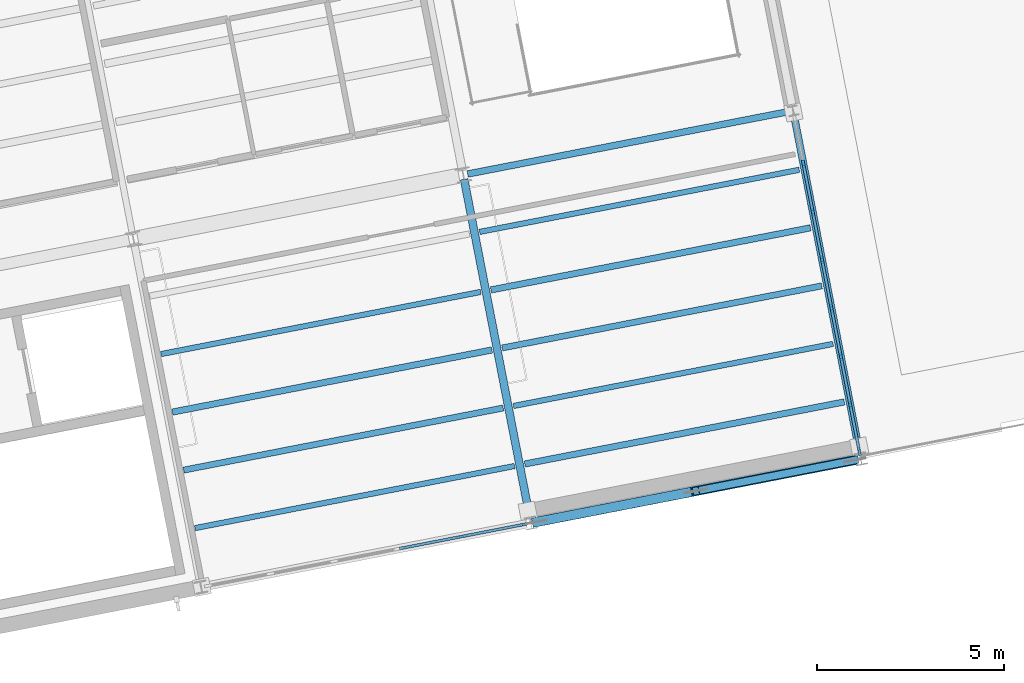
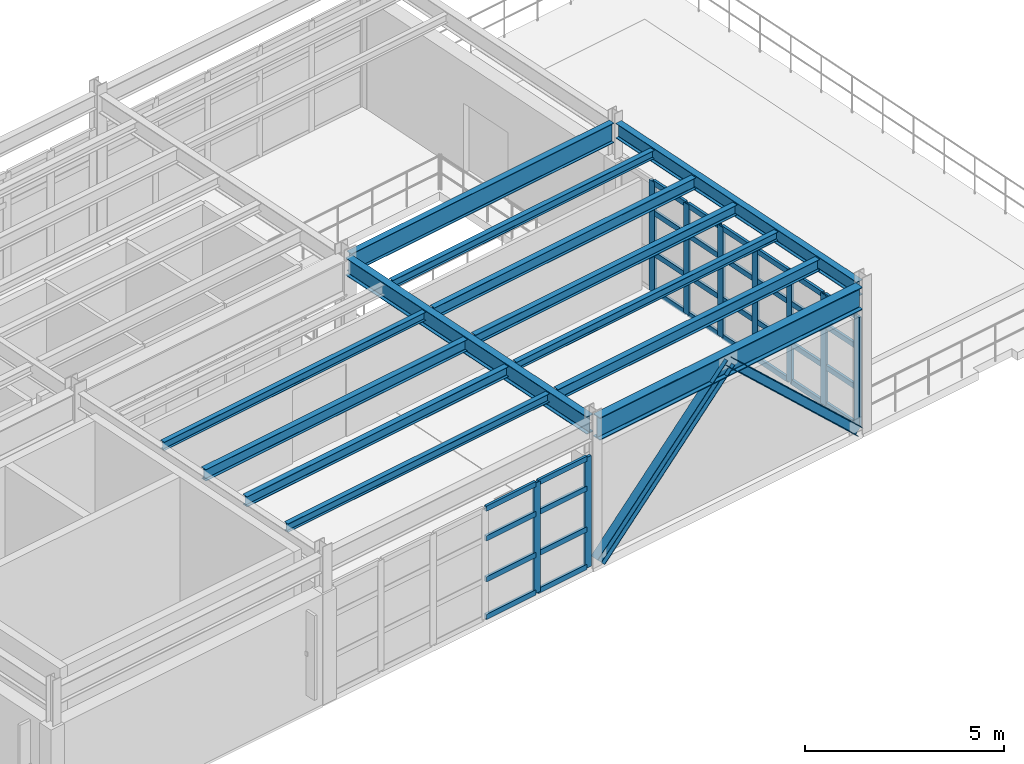
# One storey, part 19 of 102: 43 members, 13 beams, 2 elements without a shape of their own.
"""IFC4 building model written with IfcOpenShell, lengths in metres."""

from ifc_helpers import new_model, si_unit, direction, frame, origin, origin_2d, place, context, subcontext, project, spatial, rectangle, i_section, extrude, material, layer, layer_set, material_profile, profile_set, type_object, element, aggregate, save


model = new_model("IFC4")

# Units and contexts
model_context = context("Model", 3, precision=1e-05, world=origin(), true_north=direction((0.0, 1.0)))
body_context = subcontext(model_context, "Body", "Model", "MODEL_VIEW")
ifc_project = project(units=[si_unit("LENGTHUNIT", "METRE"), si_unit("AREAUNIT", "SQUARE_METRE"), si_unit("VOLUMEUNIT", "CUBIC_METRE"), si_unit("PLANEANGLEUNIT", "RADIAN"), si_unit("MASSUNIT", "GRAM", prefix="KILO")], contexts=[model_context])

# Site, building, storey
site_placement = place(None, origin())
site = spatial("IfcSite", under=ifc_project, at=site_placement, CompositionType="ELEMENT")
building_placement = place(site_placement, origin())
building = spatial("IfcBuilding", under=site, at=building_placement, Name="Vireo Bluff Cable Station", CompositionType="ELEMENT")
storey_placement = place(building_placement, frame((0.0, 0.0, 9.60009765625)))
storey = spatial("IfcBuildingStorey", under=building, at=storey_placement, Name="L02", CompositionType="ELEMENT", Elevation=9.60009765625)

# Beam
ifc_material_1 = material(Name="Steel ASTM A992 Gr. 50", Category="steel")
ifc_material_profile_1 = material_profile(ifc_material_1, i_section(OverallWidth=0.2099609375, OverallDepth=0.535888671875, WebThickness=0.010986328125, FlangeThickness=0.017333984375, FilletRadius=0.012939453125, at=origin_2d()), Name="W21X68")
ifc_profile_set_1 = profile_set([ifc_material_profile_1], Name="Steel ASTM A992 Gr. 50")
beam_type_1 = type_object("IfcBeamType", Name="BM-W21X68", PredefinedType="BEAM", material=ifc_profile_set_1)
beam_1_placement = place(storey_placement, frame((27.146484375, 9.05224609375, 4.23193359375), z_axis=(-0.190825202135, 0.981624033034, 0.0), x_axis=(-0.981624033034, -0.190825202135, 0.0)))
element("IfcBeam", 1, at=beam_1_placement, inside=storey, type_object=beam_type_1, Name="V5 L02 beam 1262", PredefinedType="BEAM", context=body_context, shape_type="SweptSolid", body=[
    extrude(i_section(OverallWidth=0.2099609375, OverallDepth=0.535888671875, WebThickness=0.010986328125, FlangeThickness=0.017333984375, FilletRadius=0.012939453125, at=origin_2d()), origin(), (0.0, 0.0, 1.0), 9.26025390625),
])

# Members
ifc_material_profile_2 = material_profile(ifc_material_1, i_section(OverallWidth=0.2041015625, OverallDepth=0.257080078125, WebThickness=0.0087890625, FlangeThickness=0.015625, FilletRadius=0.009033203125, at=origin_2d()), Name="W10X45")
ifc_profile_set_2 = profile_set([ifc_material_profile_2], Name="Steel ASTM A992 Gr. 50")
member_type_1 = type_object("IfcMemberType", Name="BRC-01", PredefinedType="BRACE", material=ifc_profile_set_2)
member_1_placement = place(storey_placement, frame((35.846923828125, 10.621337890625, 0.039794921875), z_axis=(-0.710276289575, -0.13806631371, 0.690250161525), x_axis=(0.190812443151, -0.981626513262, 0.0)))
element("IfcMember", 2, at=member_1_placement, inside=storey, type_object=member_type_1, Name="V5 L02 concentric brace 102R", PredefinedType="BRACE", context=body_context, shape_type="SweptSolid", body=[
    extrude(i_section(OverallWidth=0.2041015625, OverallDepth=0.257080078125, WebThickness=0.0087890625, FlangeThickness=0.015625, FilletRadius=0.009033203125, at=origin_2d()), origin(), (0.0, 0.0, 1.0), 5.998046875),
])
ifc_material_profile_3 = material_profile(ifc_material_1, i_section(OverallWidth=0.25390625, OverallDepth=0.35302734375, WebThickness=0.009521484375, FlangeThickness=0.016357421875, FilletRadius=0.011962890625, at=origin_2d()), Name="W14X61")
ifc_profile_set_3 = profile_set([ifc_material_profile_3], Name="Steel ASTM A992 Gr. 50")
member_type_2 = type_object("IfcMemberType", Name="BRC-06", PredefinedType="BRACE", material=ifc_profile_set_3)
member_2_placement = place(storey_placement, frame((27.326416015625, 8.965087890625, 0.039794921875), z_axis=(0.710276289575, 0.13806631371, 0.690250161525), x_axis=(-0.190812443151, 0.981626513262, 0.0)))
element("IfcMember", 3, at=member_2_placement, inside=storey, type_object=member_type_2, Name="V5 L02 concentric brace 101L", PredefinedType="BRACE", context=body_context, shape_type="SweptSolid", body=[
    extrude(i_section(OverallWidth=0.25390625, OverallDepth=0.35302734375, WebThickness=0.009521484375, FlangeThickness=0.016357421875, FilletRadius=0.011962890625, at=origin_2d()), origin(), (0.0, 0.0, 1.0), 5.998046875),
])

# Curtain wall, members
ifc_material_2 = material(Name="Anodized Aluminium 6063-T6", Category="aluminium")
ifc_layer_1 = layer(ifc_material_2, 0.179931640625, Name="Anodized Aluminium 6063-T6")
ifc_layer_set_1 = layer_set([ifc_layer_1], Name="Anodized Aluminium 6063-T6")
curtain_wall_type_1 = type_object("IfcCurtainWallType", Name="CW-UNIT-1650", PredefinedType="USERDEFINED", material=ifc_layer_set_1)
curtain_wall_1_placement = place(storey_placement, origin())
curtain_wall_1 = element("IfcCurtainWall", 4, at=curtain_wall_1_placement, inside=storey, type_object=curtain_wall_type_1, Name="V5 L02 south curtain wall CW-125", ObjectType="UNITISED CURTAIN WALL", PredefinedType="USERDEFINED")
ifc_material_profile_4 = material_profile(ifc_material_2, rectangle(XDim=0.074951171875, YDim=0.2099609375, at=origin_2d()), Name="ALU-M-75X210")
ifc_profile_set_4 = profile_set([ifc_material_profile_4], Name="Anodized Aluminium 6063-T6")
member_type_3 = type_object("IfcMemberType", Name="CWM-02", PredefinedType="MULLION", material=ifc_profile_set_4)
member_3_placement = place(storey_placement, frame((26.976806640625, 8.897216796875, 0.0), z_axis=(0.0, 0.0, 1.0), x_axis=(0.190808983435, -0.981627185769, 0.0)))
member_3 = element("IfcMember", 5, at=member_3_placement, type_object=member_type_3, Name="CW-125 mullion 1", PredefinedType="MULLION", context=body_context, shape_type="SweptSolid", body=[
    extrude(rectangle(XDim=0.074951171875, YDim=0.2099609375, at=origin_2d()), origin(), (0.0, 0.0, 1.0), 3.39990234375),
])
member_4_placement = place(storey_placement, frame((25.30859375, 8.572998046875, 0.0), z_axis=(0.0, 0.0, 1.0), x_axis=(0.190808983435, -0.981627185769, 0.0)))
member_4 = element("IfcMember", 6, at=member_4_placement, type_object=member_type_3, Name="CW-125 mullion 2", PredefinedType="MULLION", context=body_context, shape_type="SweptSolid", body=[
    extrude(rectangle(XDim=0.074951171875, YDim=0.2099609375, at=origin_2d()), origin(), (0.0, 0.0, 1.0), 3.39990234375),
])

ifc_layer_2 = layer(ifc_material_2, 0.179931640625, Name="Anodized Aluminium 6063-T6")
ifc_layer_set_2 = layer_set([ifc_layer_2], Name="Anodized Aluminium 6063-T6")
curtain_wall_type_2 = type_object("IfcCurtainWallType", Name="CW-UNIT-1400", PredefinedType="USERDEFINED", material=ifc_layer_set_2)
curtain_wall_2_placement = place(storey_placement, origin())
curtain_wall_2 = element("IfcCurtainWall", 7, at=curtain_wall_2_placement, inside=storey, type_object=curtain_wall_type_2, Name="V5 L02 east curtain wall CW-129", ObjectType="UNITISED CURTAIN WALL", PredefinedType="USERDEFINED")
member_5_placement = place(storey_placement, frame((34.4677734375, 18.55517578125, 0.0), z_axis=(0.0, 0.0, 1.0), x_axis=(0.981627178352, 0.190809021589, 0.0)))
member_5 = element("IfcMember", 8, at=member_5_placement, type_object=member_type_3, Name="CW-129 mullion 2", PredefinedType="MULLION", context=body_context, shape_type="SweptSolid", body=[
    extrude(rectangle(XDim=0.074951171875, YDim=0.2099609375, at=origin_2d()), origin(), (0.0, 0.0, 1.0), 3.39990234375),
])
member_6_placement = place(storey_placement, frame((34.718505859375, 17.264892578125, 0.0), z_axis=(0.0, 0.0, 1.0), x_axis=(0.981627178352, 0.190809021589, 0.0)))
member_6 = element("IfcMember", 9, at=member_6_placement, type_object=member_type_3, Name="CW-129 mullion 3", PredefinedType="MULLION", context=body_context, shape_type="SweptSolid", body=[
    extrude(rectangle(XDim=0.074951171875, YDim=0.2099609375, at=origin_2d()), origin(), (0.0, 0.0, 1.0), 3.39990234375),
])
member_7_placement = place(storey_placement, frame((34.96923828125, 15.974365234375, 0.0), z_axis=(0.0, 0.0, 1.0), x_axis=(0.981627178352, 0.190809021589, 0.0)))
member_7 = element("IfcMember", 10, at=member_7_placement, type_object=member_type_3, Name="CW-129 mullion 4", PredefinedType="MULLION", context=body_context, shape_type="SweptSolid", body=[
    extrude(rectangle(XDim=0.074951171875, YDim=0.2099609375, at=origin_2d()), origin(), (0.0, 0.0, 1.0), 3.39990234375),
])
member_8_placement = place(storey_placement, frame((35.22021484375, 14.683837890625, 0.0), z_axis=(0.0, 0.0, 1.0), x_axis=(0.981627178352, 0.190809021589, 0.0)))
member_8 = element("IfcMember", 11, at=member_8_placement, type_object=member_type_3, Name="CW-129 mullion 5", PredefinedType="MULLION", context=body_context, shape_type="SweptSolid", body=[
    extrude(rectangle(XDim=0.074951171875, YDim=0.2099609375, at=origin_2d()), origin(), (0.0, 0.0, 1.0), 3.39990234375),
])
member_9_placement = place(storey_placement, frame((35.470947265625, 13.393310546875, 0.0), z_axis=(0.0, 0.0, 1.0), x_axis=(0.981627178352, 0.190809021589, 0.0)))
member_9 = element("IfcMember", 12, at=member_9_placement, type_object=member_type_3, Name="CW-129 mullion 6", PredefinedType="MULLION", context=body_context, shape_type="SweptSolid", body=[
    extrude(rectangle(XDim=0.074951171875, YDim=0.2099609375, at=origin_2d()), origin(), (0.0, 0.0, 1.0), 3.39990234375),
])
member_10_placement = place(storey_placement, frame((35.721923828125, 12.102783203125, 0.0), z_axis=(0.0, 0.0, 1.0), x_axis=(0.981627178352, 0.190809021589, 0.0)))
member_10 = element("IfcMember", 13, at=member_10_placement, type_object=member_type_3, Name="CW-129 mullion 7", PredefinedType="MULLION", context=body_context, shape_type="SweptSolid", body=[
    extrude(rectangle(XDim=0.074951171875, YDim=0.2099609375, at=origin_2d()), origin(), (0.0, 0.0, 1.0), 3.39990234375),
])
member_11_placement = place(storey_placement, frame((35.965576171875, 10.84912109375, 0.0), z_axis=(0.0, 0.0, 1.0), x_axis=(0.981627178352, 0.190809021589, 0.0)))
member_11 = element("IfcMember", 14, at=member_11_placement, type_object=member_type_3, Name="CW-129 mullion 8", PredefinedType="MULLION", context=body_context, shape_type="SweptSolid", body=[
    extrude(rectangle(XDim=0.074951171875, YDim=0.2099609375, at=origin_2d()), origin(), (0.0, 0.0, 1.0), 3.39990234375),
])

# Member
ifc_material_profile_5 = material_profile(ifc_material_2, rectangle(XDim=0.074951171875, YDim=0.159912109375, at=origin_2d()), Name="ALU-T-75X160")
ifc_profile_set_5 = profile_set([ifc_material_profile_5], Name="Anodized Aluminium 6063-T6")
member_type_4 = type_object("IfcMemberType", Name="CWT-02", PredefinedType="USERDEFINED", material=ifc_profile_set_5)
member_12_placement = place(storey_placement, frame((26.940185546875, 8.889892578125, 0.037353515625), z_axis=(-0.981646662102, -0.190708759064, 0.0), x_axis=(0.190708759064, -0.981646662102, 0.0)))
member_12 = element("IfcMember", 15, at=member_12_placement, type_object=member_type_4, Name="CW-125 transom 1.1", ObjectType="TRANSOM", PredefinedType="USERDEFINED", context=body_context, shape_type="SweptSolid", body=[
    extrude(rectangle(XDim=0.074951171875, YDim=0.159912109375, at=origin_2d()), origin(), (0.0, 0.0, 1.0), 1.62451171875),
])

member_13_placement = place(storey_placement, frame((26.940185546875, 8.889892578125, 1.18994140625), z_axis=(-0.981646662102, -0.190708759064, 0.0), x_axis=(0.190708759064, -0.981646662102, 0.0)))
member_13 = element("IfcMember", 16, at=member_13_placement, type_object=member_type_4, Name="CW-125 transom 1.2", ObjectType="TRANSOM", PredefinedType="USERDEFINED", context=body_context, shape_type="SweptSolid", body=[
    extrude(rectangle(XDim=0.074951171875, YDim=0.159912109375, at=origin_2d()), origin(), (0.0, 0.0, 1.0), 1.62451171875),
])

member_14_placement = place(storey_placement, frame((26.940185546875, 8.889892578125, 2.447998046875), z_axis=(-0.981646662102, -0.190708759064, 0.0), x_axis=(0.190708759064, -0.981646662102, 0.0)))
member_14 = element("IfcMember", 17, at=member_14_placement, type_object=member_type_4, Name="CW-125 transom 1.3", ObjectType="TRANSOM", PredefinedType="USERDEFINED", context=body_context, shape_type="SweptSolid", body=[
    extrude(rectangle(XDim=0.074951171875, YDim=0.159912109375, at=origin_2d()), origin(), (0.0, 0.0, 1.0), 1.62451171875),
])

member_15_placement = place(storey_placement, frame((26.940185546875, 8.889892578125, 3.3623046875), z_axis=(-0.981646662102, -0.190708759064, 0.0), x_axis=(0.190708759064, -0.981646662102, 0.0)))
member_15 = element("IfcMember", 18, at=member_15_placement, type_object=member_type_4, Name="CW-125 transom 1.4", ObjectType="TRANSOM", PredefinedType="USERDEFINED", context=body_context, shape_type="SweptSolid", body=[
    extrude(rectangle(XDim=0.074951171875, YDim=0.159912109375, at=origin_2d()), origin(), (0.0, 0.0, 1.0), 1.62451171875),
])

member_16_placement = place(storey_placement, frame((25.271728515625, 8.565673828125, 0.037353515625), z_axis=(-0.981623034524, -0.190830338498, 0.0), x_axis=(0.190830338498, -0.981623034524, 0.0)))
member_16 = element("IfcMember", 19, at=member_16_placement, type_object=member_type_4, Name="CW-125 transom 2.1", ObjectType="TRANSOM", PredefinedType="USERDEFINED", context=body_context, shape_type="SweptSolid", body=[
    extrude(rectangle(XDim=0.074951171875, YDim=0.159912109375, at=origin_2d()), origin(), (0.0, 0.0, 1.0), 1.661865234375),
])

member_17_placement = place(storey_placement, frame((25.271728515625, 8.565673828125, 1.18994140625), z_axis=(-0.981623034524, -0.190830338498, 0.0), x_axis=(0.190830338498, -0.981623034524, 0.0)))
member_17 = element("IfcMember", 20, at=member_17_placement, type_object=member_type_4, Name="CW-125 transom 2.2", ObjectType="TRANSOM", PredefinedType="USERDEFINED", context=body_context, shape_type="SweptSolid", body=[
    extrude(rectangle(XDim=0.074951171875, YDim=0.159912109375, at=origin_2d()), origin(), (0.0, 0.0, 1.0), 1.661865234375),
])

member_18_placement = place(storey_placement, frame((25.271728515625, 8.565673828125, 2.447998046875), z_axis=(-0.981623034524, -0.190830338498, 0.0), x_axis=(0.190830338498, -0.981623034524, 0.0)))
member_18 = element("IfcMember", 21, at=member_18_placement, type_object=member_type_4, Name="CW-125 transom 2.3", ObjectType="TRANSOM", PredefinedType="USERDEFINED", context=body_context, shape_type="SweptSolid", body=[
    extrude(rectangle(XDim=0.074951171875, YDim=0.159912109375, at=origin_2d()), origin(), (0.0, 0.0, 1.0), 1.661865234375),
])

member_19_placement = place(storey_placement, frame((25.271728515625, 8.565673828125, 3.3623046875), z_axis=(-0.981623034524, -0.190830338498, 0.0), x_axis=(0.190830338498, -0.981623034524, 0.0)))
member_19 = element("IfcMember", 22, at=member_19_placement, type_object=member_type_4, Name="CW-125 transom 2.4", ObjectType="TRANSOM", PredefinedType="USERDEFINED", context=body_context, shape_type="SweptSolid", body=[
    extrude(rectangle(XDim=0.074951171875, YDim=0.159912109375, at=origin_2d()), origin(), (0.0, 0.0, 1.0), 1.661865234375),
])

aggregate(curtain_wall_1, [member_3, member_4, member_12, member_13, member_14, member_15, member_16, member_17, member_18, member_19])

member_20_placement = place(storey_placement, frame((34.474853515625, 18.5185546875, 0.037353515625), z_axis=(0.19081168199, -0.981626661219, 0.0), x_axis=(0.981626661219, 0.19081168199, 0.0)))
member_20 = element("IfcMember", 23, at=member_20_placement, type_object=member_type_4, Name="CW-129 transom 2.1", ObjectType="TRANSOM", PredefinedType="USERDEFINED", context=body_context, shape_type="SweptSolid", body=[
    extrude(rectangle(XDim=0.074951171875, YDim=0.159912109375, at=origin_2d()), origin(), (0.0, 0.0, 1.0), 1.23974609375),
])

member_21_placement = place(storey_placement, frame((34.474853515625, 18.5185546875, 1.18994140625), z_axis=(0.19081168199, -0.981626661219, 0.0), x_axis=(0.981626661219, 0.19081168199, 0.0)))
member_21 = element("IfcMember", 24, at=member_21_placement, type_object=member_type_4, Name="CW-129 transom 2.2", ObjectType="TRANSOM", PredefinedType="USERDEFINED", context=body_context, shape_type="SweptSolid", body=[
    extrude(rectangle(XDim=0.074951171875, YDim=0.159912109375, at=origin_2d()), origin(), (0.0, 0.0, 1.0), 1.23974609375),
])

member_22_placement = place(storey_placement, frame((34.474853515625, 18.5185546875, 2.447998046875), z_axis=(0.19081168199, -0.981626661219, 0.0), x_axis=(0.981626661219, 0.19081168199, 0.0)))
member_22 = element("IfcMember", 25, at=member_22_placement, type_object=member_type_4, Name="CW-129 transom 2.3", ObjectType="TRANSOM", PredefinedType="USERDEFINED", context=body_context, shape_type="SweptSolid", body=[
    extrude(rectangle(XDim=0.074951171875, YDim=0.159912109375, at=origin_2d()), origin(), (0.0, 0.0, 1.0), 1.23974609375),
])

member_23_placement = place(storey_placement, frame((34.474853515625, 18.5185546875, 3.3623046875), z_axis=(0.19081168199, -0.981626661219, 0.0), x_axis=(0.981626661219, 0.19081168199, 0.0)))
member_23 = element("IfcMember", 26, at=member_23_placement, type_object=member_type_4, Name="CW-129 transom 2.4", ObjectType="TRANSOM", PredefinedType="USERDEFINED", context=body_context, shape_type="SweptSolid", body=[
    extrude(rectangle(XDim=0.074951171875, YDim=0.159912109375, at=origin_2d()), origin(), (0.0, 0.0, 1.0), 1.23974609375),
])

member_24_placement = place(storey_placement, frame((34.7255859375, 17.22802734375, 0.037353515625), z_axis=(0.19081168199, -0.981626661219, 0.0), x_axis=(0.981626661219, 0.19081168199, 0.0)))
member_24 = element("IfcMember", 27, at=member_24_placement, type_object=member_type_4, Name="CW-129 transom 3.1", ObjectType="TRANSOM", PredefinedType="USERDEFINED", context=body_context, shape_type="SweptSolid", body=[
    extrude(rectangle(XDim=0.074951171875, YDim=0.159912109375, at=origin_2d()), origin(), (0.0, 0.0, 1.0), 1.23974609375),
])

member_25_placement = place(storey_placement, frame((34.7255859375, 17.22802734375, 1.18994140625), z_axis=(0.19081168199, -0.981626661219, 0.0), x_axis=(0.981626661219, 0.19081168199, 0.0)))
member_25 = element("IfcMember", 28, at=member_25_placement, type_object=member_type_4, Name="CW-129 transom 3.2", ObjectType="TRANSOM", PredefinedType="USERDEFINED", context=body_context, shape_type="SweptSolid", body=[
    extrude(rectangle(XDim=0.074951171875, YDim=0.159912109375, at=origin_2d()), origin(), (0.0, 0.0, 1.0), 1.23974609375),
])

member_26_placement = place(storey_placement, frame((34.7255859375, 17.22802734375, 2.447998046875), z_axis=(0.19081168199, -0.981626661219, 0.0), x_axis=(0.981626661219, 0.19081168199, 0.0)))
member_26 = element("IfcMember", 29, at=member_26_placement, type_object=member_type_4, Name="CW-129 transom 3.3", ObjectType="TRANSOM", PredefinedType="USERDEFINED", context=body_context, shape_type="SweptSolid", body=[
    extrude(rectangle(XDim=0.074951171875, YDim=0.159912109375, at=origin_2d()), origin(), (0.0, 0.0, 1.0), 1.23974609375),
])

member_27_placement = place(storey_placement, frame((34.7255859375, 17.22802734375, 3.3623046875), z_axis=(0.19081168199, -0.981626661219, 0.0), x_axis=(0.981626661219, 0.19081168199, 0.0)))
member_27 = element("IfcMember", 30, at=member_27_placement, type_object=member_type_4, Name="CW-129 transom 3.4", ObjectType="TRANSOM", PredefinedType="USERDEFINED", context=body_context, shape_type="SweptSolid", body=[
    extrude(rectangle(XDim=0.074951171875, YDim=0.159912109375, at=origin_2d()), origin(), (0.0, 0.0, 1.0), 1.23974609375),
])

member_28_placement = place(storey_placement, frame((34.9765625, 15.9375, 0.037353515625), z_axis=(0.190848572517, -0.981619489603, 0.0), x_axis=(0.981619489603, 0.190848572517, 0.0)))
member_28 = element("IfcMember", 31, at=member_28_placement, type_object=member_type_4, Name="CW-129 transom 4.1", ObjectType="TRANSOM", PredefinedType="USERDEFINED", context=body_context, shape_type="SweptSolid", body=[
    extrude(rectangle(XDim=0.074951171875, YDim=0.159912109375, at=origin_2d()), origin(), (0.0, 0.0, 1.0), 1.239501953125),
])

member_29_placement = place(storey_placement, frame((34.9765625, 15.9375, 1.18994140625), z_axis=(0.190848572517, -0.981619489603, 0.0), x_axis=(0.981619489603, 0.190848572517, 0.0)))
member_29 = element("IfcMember", 32, at=member_29_placement, type_object=member_type_4, Name="CW-129 transom 4.2", ObjectType="TRANSOM", PredefinedType="USERDEFINED", context=body_context, shape_type="SweptSolid", body=[
    extrude(rectangle(XDim=0.074951171875, YDim=0.159912109375, at=origin_2d()), origin(), (0.0, 0.0, 1.0), 1.239501953125),
])

member_30_placement = place(storey_placement, frame((34.9765625, 15.9375, 2.447998046875), z_axis=(0.190848572517, -0.981619489603, 0.0), x_axis=(0.981619489603, 0.190848572517, 0.0)))
member_30 = element("IfcMember", 33, at=member_30_placement, type_object=member_type_4, Name="CW-129 transom 4.3", ObjectType="TRANSOM", PredefinedType="USERDEFINED", context=body_context, shape_type="SweptSolid", body=[
    extrude(rectangle(XDim=0.074951171875, YDim=0.159912109375, at=origin_2d()), origin(), (0.0, 0.0, 1.0), 1.239501953125),
])

member_31_placement = place(storey_placement, frame((34.9765625, 15.9375, 3.3623046875), z_axis=(0.190848572517, -0.981619489603, 0.0), x_axis=(0.981619489603, 0.190848572517, 0.0)))
member_31 = element("IfcMember", 34, at=member_31_placement, type_object=member_type_4, Name="CW-129 transom 4.4", ObjectType="TRANSOM", PredefinedType="USERDEFINED", context=body_context, shape_type="SweptSolid", body=[
    extrude(rectangle(XDim=0.074951171875, YDim=0.159912109375, at=origin_2d()), origin(), (0.0, 0.0, 1.0), 1.239501953125),
])

member_32_placement = place(storey_placement, frame((35.227294921875, 14.64697265625, 0.037353515625), z_axis=(0.190848572517, -0.981619489603, 0.0), x_axis=(0.981619489603, 0.190848572517, 0.0)))
member_32 = element("IfcMember", 35, at=member_32_placement, type_object=member_type_4, Name="CW-129 transom 5.1", ObjectType="TRANSOM", PredefinedType="USERDEFINED", context=body_context, shape_type="SweptSolid", body=[
    extrude(rectangle(XDim=0.074951171875, YDim=0.159912109375, at=origin_2d()), origin(), (0.0, 0.0, 1.0), 1.239501953125),
])

member_33_placement = place(storey_placement, frame((35.227294921875, 14.64697265625, 1.18994140625), z_axis=(0.190848572517, -0.981619489603, 0.0), x_axis=(0.981619489603, 0.190848572517, 0.0)))
member_33 = element("IfcMember", 36, at=member_33_placement, type_object=member_type_4, Name="CW-129 transom 5.2", ObjectType="TRANSOM", PredefinedType="USERDEFINED", context=body_context, shape_type="SweptSolid", body=[
    extrude(rectangle(XDim=0.074951171875, YDim=0.159912109375, at=origin_2d()), origin(), (0.0, 0.0, 1.0), 1.239501953125),
])

member_34_placement = place(storey_placement, frame((35.227294921875, 14.64697265625, 2.447998046875), z_axis=(0.190848572517, -0.981619489603, 0.0), x_axis=(0.981619489603, 0.190848572517, 0.0)))
member_34 = element("IfcMember", 37, at=member_34_placement, type_object=member_type_4, Name="CW-129 transom 5.3", ObjectType="TRANSOM", PredefinedType="USERDEFINED", context=body_context, shape_type="SweptSolid", body=[
    extrude(rectangle(XDim=0.074951171875, YDim=0.159912109375, at=origin_2d()), origin(), (0.0, 0.0, 1.0), 1.239501953125),
])

member_35_placement = place(storey_placement, frame((35.227294921875, 14.64697265625, 3.3623046875), z_axis=(0.190848572517, -0.981619489603, 0.0), x_axis=(0.981619489603, 0.190848572517, 0.0)))
member_35 = element("IfcMember", 38, at=member_35_placement, type_object=member_type_4, Name="CW-129 transom 5.4", ObjectType="TRANSOM", PredefinedType="USERDEFINED", context=body_context, shape_type="SweptSolid", body=[
    extrude(rectangle(XDim=0.074951171875, YDim=0.159912109375, at=origin_2d()), origin(), (0.0, 0.0, 1.0), 1.239501953125),
])

member_36_placement = place(storey_placement, frame((35.478271484375, 13.3564453125, 0.037353515625), z_axis=(0.190848572517, -0.981619489603, 0.0), x_axis=(0.981619489603, 0.190848572517, 0.0)))
member_36 = element("IfcMember", 39, at=member_36_placement, type_object=member_type_4, Name="CW-129 transom 6.1", ObjectType="TRANSOM", PredefinedType="USERDEFINED", context=body_context, shape_type="SweptSolid", body=[
    extrude(rectangle(XDim=0.074951171875, YDim=0.159912109375, at=origin_2d()), origin(), (0.0, 0.0, 1.0), 1.239501953125),
])

member_37_placement = place(storey_placement, frame((35.478271484375, 13.3564453125, 1.18994140625), z_axis=(0.190848572517, -0.981619489603, 0.0), x_axis=(0.981619489603, 0.190848572517, 0.0)))
member_37 = element("IfcMember", 40, at=member_37_placement, type_object=member_type_4, Name="CW-129 transom 6.2", ObjectType="TRANSOM", PredefinedType="USERDEFINED", context=body_context, shape_type="SweptSolid", body=[
    extrude(rectangle(XDim=0.074951171875, YDim=0.159912109375, at=origin_2d()), origin(), (0.0, 0.0, 1.0), 1.239501953125),
])

member_38_placement = place(storey_placement, frame((35.478271484375, 13.3564453125, 2.447998046875), z_axis=(0.190848572517, -0.981619489603, 0.0), x_axis=(0.981619489603, 0.190848572517, 0.0)))
member_38 = element("IfcMember", 41, at=member_38_placement, type_object=member_type_4, Name="CW-129 transom 6.3", ObjectType="TRANSOM", PredefinedType="USERDEFINED", context=body_context, shape_type="SweptSolid", body=[
    extrude(rectangle(XDim=0.074951171875, YDim=0.159912109375, at=origin_2d()), origin(), (0.0, 0.0, 1.0), 1.239501953125),
])

member_39_placement = place(storey_placement, frame((35.478271484375, 13.3564453125, 3.3623046875), z_axis=(0.190848572517, -0.981619489603, 0.0), x_axis=(0.981619489603, 0.190848572517, 0.0)))
member_39 = element("IfcMember", 42, at=member_39_placement, type_object=member_type_4, Name="CW-129 transom 6.4", ObjectType="TRANSOM", PredefinedType="USERDEFINED", context=body_context, shape_type="SweptSolid", body=[
    extrude(rectangle(XDim=0.074951171875, YDim=0.159912109375, at=origin_2d()), origin(), (0.0, 0.0, 1.0), 1.239501953125),
])

member_40_placement = place(storey_placement, frame((35.72900390625, 12.06591796875, 0.037353515625), z_axis=(0.190918585245, -0.981605874987, 0.0), x_axis=(0.981605874987, 0.190918585245, 0.0)))
member_40 = element("IfcMember", 43, at=member_40_placement, type_object=member_type_4, Name="CW-129 transom 7.1", ObjectType="TRANSOM", PredefinedType="USERDEFINED", context=body_context, shape_type="SweptSolid", body=[
    extrude(rectangle(XDim=0.074951171875, YDim=0.159912109375, at=origin_2d()), origin(), (0.0, 0.0, 1.0), 1.2021484375),
])

member_41_placement = place(storey_placement, frame((35.72900390625, 12.06591796875, 1.18994140625), z_axis=(0.190918585245, -0.981605874987, 0.0), x_axis=(0.981605874987, 0.190918585245, 0.0)))
member_41 = element("IfcMember", 44, at=member_41_placement, type_object=member_type_4, Name="CW-129 transom 7.2", ObjectType="TRANSOM", PredefinedType="USERDEFINED", context=body_context, shape_type="SweptSolid", body=[
    extrude(rectangle(XDim=0.074951171875, YDim=0.159912109375, at=origin_2d()), origin(), (0.0, 0.0, 1.0), 1.2021484375),
])

member_42_placement = place(storey_placement, frame((35.72900390625, 12.06591796875, 2.447998046875), z_axis=(0.190918585245, -0.981605874987, 0.0), x_axis=(0.981605874987, 0.190918585245, 0.0)))
member_42 = element("IfcMember", 45, at=member_42_placement, type_object=member_type_4, Name="CW-129 transom 7.3", ObjectType="TRANSOM", PredefinedType="USERDEFINED", context=body_context, shape_type="SweptSolid", body=[
    extrude(rectangle(XDim=0.074951171875, YDim=0.159912109375, at=origin_2d()), origin(), (0.0, 0.0, 1.0), 1.2021484375),
])

member_43_placement = place(storey_placement, frame((35.72900390625, 12.06591796875, 3.3623046875), z_axis=(0.190918585245, -0.981605874987, 0.0), x_axis=(0.981605874987, 0.190918585245, 0.0)))
member_43 = element("IfcMember", 46, at=member_43_placement, type_object=member_type_4, Name="CW-129 transom 7.4", ObjectType="TRANSOM", PredefinedType="USERDEFINED", context=body_context, shape_type="SweptSolid", body=[
    extrude(rectangle(XDim=0.074951171875, YDim=0.159912109375, at=origin_2d()), origin(), (0.0, 0.0, 1.0), 1.2021484375),
])

aggregate(curtain_wall_2, [member_5, member_6, member_7, member_8, member_9, member_10, member_11, member_20, member_21, member_22, member_23, member_24, member_25, member_26, member_27, member_28, member_29, member_30, member_31, member_32, member_33, member_34, member_35, member_36, member_37, member_38, member_39, member_40, member_41, member_42, member_43])

# Beams
ifc_material_profile_6 = material_profile(ifc_material_1, i_section(OverallWidth=0.178955078125, OverallDepth=0.60302734375, WebThickness=0.010986328125, FlangeThickness=0.014892578125, FilletRadius=0.012939453125, at=origin_2d()), Name="W24X62")
ifc_profile_set_6 = profile_set([ifc_material_profile_6], Name="Steel ASTM A992 Gr. 50")
beam_type_2 = type_object("IfcBeamType", Name="GIR-W24X62", PredefinedType="USERDEFINED", material=ifc_profile_set_6)
beam_2_placement = place(storey_placement, frame((25.474365234375, 18.282958984375, 4.198486328125), z_axis=(0.981629601573, 0.190796554777, 0.0), x_axis=(-0.190796554777, 0.981629601573, 0.0)))
element("IfcBeam", 47, at=beam_2_placement, inside=storey, type_object=beam_type_2, Name="V5 L02 girder 1254", ObjectType="GIRDER", PredefinedType="USERDEFINED", context=body_context, shape_type="SweptSolid", body=[
    extrude(i_section(OverallWidth=0.178955078125, OverallDepth=0.60302734375, WebThickness=0.010986328125, FlangeThickness=0.014892578125, FilletRadius=0.012939453125, at=origin_2d()), origin(), (0.0, 0.0, 1.0), 8.760009765625),
])
ifc_material_profile_7 = material_profile(ifc_material_1, i_section(OverallWidth=0.14599609375, OverallDepth=0.259033203125, WebThickness=0.006103515625, FlangeThickness=0.009033203125, FilletRadius=0.009033203125, at=origin_2d()), Name="W10X22")
ifc_profile_set_7 = profile_set([ifc_material_profile_7], Name="Steel ASTM A992 Gr. 50")
beam_type_3 = type_object("IfcBeamType", Name="JST-W10X22", PredefinedType="JOIST", material=ifc_profile_set_7)
for number, where, z_axis, x_axis, name in (
    (48, (18.169921875, 8.79833984375, 4.370361328125), (0.981628064538, 0.190804462503, 0.0), (-0.190804462503, 0.981628064538, 0.0), "V5 L02 composite joist 1271"),
    (49, (17.263671875, 13.4609375, 4.370361328125), (0.981628064538, 0.190804462503, 0.0), (-0.190804462503, 0.981628064538, 0.0), "V5 L02 composite joist 1274"),
    (50, (26.702392578125, 12.06982421875, 4.370361328125), (0.981628064538, 0.190804462503, 0.0), (-0.190804462503, 0.981628064538, 0.0), "V5 L02 composite joist 1282"),
    (51, (25.796142578125, 16.732421875, 4.370361328125), (0.981628064538, 0.190804462503, 0.0), (-0.190804462503, 0.981628064538, 0.0), "V5 L02 composite joist 1285"),
):
    element("IfcBeam", number, at=place(storey_placement, frame(where, z_axis=z_axis, x_axis=x_axis)), inside=storey, type_object=beam_type_3, Name=name, PredefinedType="JOIST", context=body_context, shape_type="SweptSolid", body=[
        extrude(i_section(OverallWidth=0.14599609375, OverallDepth=0.259033203125, WebThickness=0.006103515625, FlangeThickness=0.009033203125, FilletRadius=0.009033203125, at=origin_2d()), origin(), (0.0, 0.0, 1.0), 8.719970703125),
    ])
ifc_material_profile_8 = material_profile(ifc_material_1, i_section(OverallWidth=0.1650390625, OverallDepth=0.31005859375, WebThickness=0.005859375, FlangeThickness=0.009765625, FilletRadius=0.010009765625, at=origin_2d()), Name="W12X26")
ifc_profile_set_8 = profile_set([ifc_material_profile_8], Name="Steel ASTM A992 Gr. 50")
beam_type_4 = type_object("IfcBeamType", Name="JST-W12X26", PredefinedType="JOIST", material=ifc_profile_set_8)
for number, where, z_axis, x_axis, name in (
    (52, (17.867919921875, 10.3525390625, 4.344970703125), (0.981628064538, 0.190804462503, 0.0), (-0.190804462503, 0.981628064538, 0.0), "V5 L02 composite joist 1272"),
    (53, (26.400390625, 13.6240234375, 4.344970703125), (0.981628064538, 0.190804462503, 0.0), (-0.190804462503, 0.981628064538, 0.0), "V5 L02 composite joist 1283"),
):
    element("IfcBeam", number, at=place(storey_placement, frame(where, z_axis=z_axis, x_axis=x_axis)), inside=storey, type_object=beam_type_4, Name=name, PredefinedType="JOIST", context=body_context, shape_type="SweptSolid", body=[
        extrude(i_section(OverallWidth=0.1650390625, OverallDepth=0.31005859375, WebThickness=0.005859375, FlangeThickness=0.009765625, FilletRadius=0.010009765625, at=origin_2d()), origin(), (0.0, 0.0, 1.0), 8.719970703125),
    ])
ifc_material_profile_9 = material_profile(ifc_material_1, i_section(OverallWidth=0.1708984375, OverallDepth=0.35107421875, WebThickness=0.0068359375, FlangeThickness=0.009765625, FilletRadius=0.010009765625, at=origin_2d()), Name="W14X30")
ifc_profile_set_9 = profile_set([ifc_material_profile_9], Name="Steel ASTM A992 Gr. 50")
beam_type_5 = type_object("IfcBeamType", Name="JST-W14X30", PredefinedType="JOIST", material=ifc_profile_set_9)
for number, where, z_axis, x_axis, name in (
    (54, (17.565673828125, 11.90673828125, 4.324462890625), (0.981628064538, 0.190804462503, 0.0), (-0.190804462503, 0.981628064538, 0.0), "V5 L02 composite joist 1273"),
    (55, (27.004638671875, 10.515625, 4.324462890625), (0.981628064538, 0.190804462503, 0.0), (-0.190804462503, 0.981628064538, 0.0), "V5 L02 composite joist 1281"),
    (56, (26.09814453125, 15.17822265625, 4.324462890625), (0.981628064538, 0.190804462503, 0.0), (-0.190804462503, 0.981628064538, 0.0), "V5 L02 composite joist 1284"),
):
    element("IfcBeam", number, at=place(storey_placement, frame(where, z_axis=z_axis, x_axis=x_axis)), inside=storey, type_object=beam_type_5, Name=name, PredefinedType="JOIST", context=body_context, shape_type="SweptSolid", body=[
        extrude(i_section(OverallWidth=0.1708984375, OverallDepth=0.35107421875, WebThickness=0.0068359375, FlangeThickness=0.009765625, FilletRadius=0.010009765625, at=origin_2d()), origin(), (0.0, 0.0, 1.0), 8.719970703125),
    ])
ifc_material_profile_10 = material_profile(ifc_material_1, i_section(OverallWidth=0.19091796875, OverallDepth=0.45703125, WebThickness=0.009033203125, FlangeThickness=0.014404296875, FilletRadius=0.011962890625, at=origin_2d()), Name="W18X50")
ifc_profile_set_10 = profile_set([ifc_material_profile_10], Name="Steel ASTM A992 Gr. 50")
beam_type_6 = type_object("IfcBeamType", Name="SPN-W18X50", PredefinedType="SPANDREL", material=ifc_profile_set_10)
beam_3_placement = place(storey_placement, frame((35.98095703125, 10.76953125, 4.271484375), z_axis=(-0.190799797627, 0.981628971264, 0.0), x_axis=(-0.981628971264, -0.190799797627, 0.0)))
element("IfcBeam", 57, at=beam_3_placement, inside=storey, type_object=beam_type_6, Name="V5 L02 spandrel 1264", PredefinedType="SPANDREL", context=body_context, shape_type="SweptSolid", body=[
    extrude(i_section(OverallWidth=0.19091796875, OverallDepth=0.45703125, WebThickness=0.009033203125, FlangeThickness=0.014404296875, FilletRadius=0.011962890625, at=origin_2d()), origin(), (0.0, 0.0, 1.0), 9.26025390625),
])
ifc_material_profile_11 = material_profile(ifc_material_1, i_section(OverallWidth=0.257080078125, OverallDepth=0.693115234375, WebThickness=0.014404296875, FlangeThickness=0.023681640625, FilletRadius=0.014892578125, at=origin_2d()), Name="W27X114")
ifc_profile_set_11 = profile_set([ifc_material_profile_11], Name="Steel ASTM A992 Gr. 50")
beam_type_7 = type_object("IfcBeamType", Name="SPN-W27X114", PredefinedType="SPANDREL", material=ifc_profile_set_11)
beam_4_placement = place(storey_placement, frame((27.287109375, 8.95751953125, 4.1533203125), z_axis=(0.981629601573, 0.190796554777, 0.0), x_axis=(-0.190796554777, 0.981629601573, 0.0)))
element("IfcBeam", 58, at=beam_4_placement, inside=storey, type_object=beam_type_7, Name="V5 L02 spandrel 1251", PredefinedType="SPANDREL", context=body_context, shape_type="SweptSolid", body=[
    extrude(i_section(OverallWidth=0.257080078125, OverallDepth=0.693115234375, WebThickness=0.014404296875, FlangeThickness=0.023681640625, FilletRadius=0.014892578125, at=origin_2d()), origin(), (0.0, 0.0, 1.0), 8.760009765625),
])

save(model, "model.ifc")
